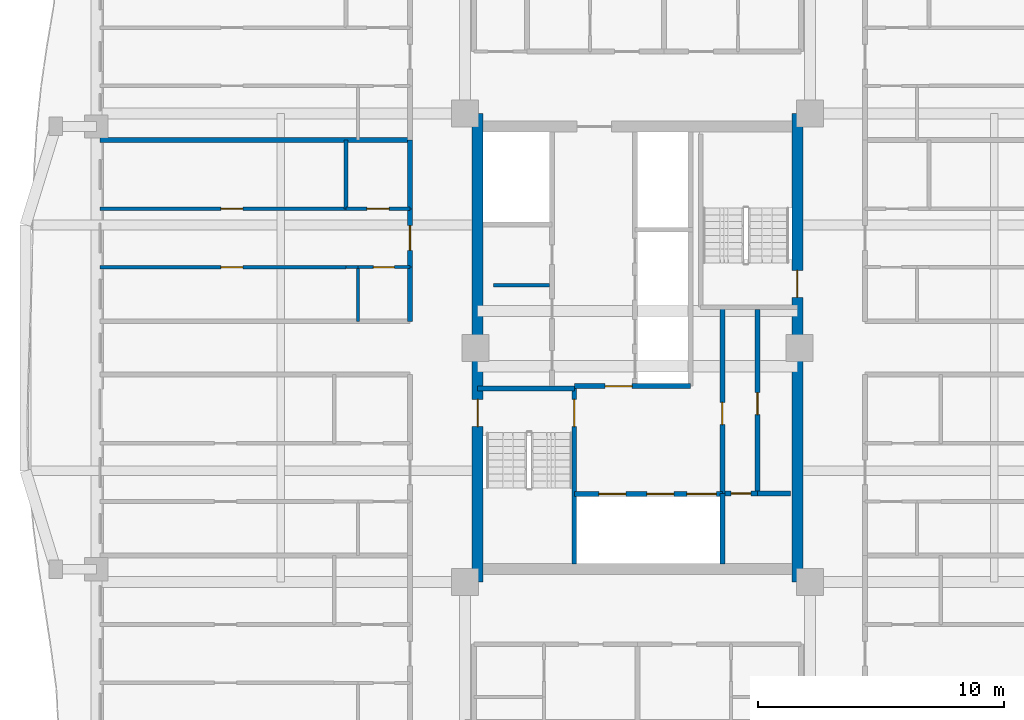
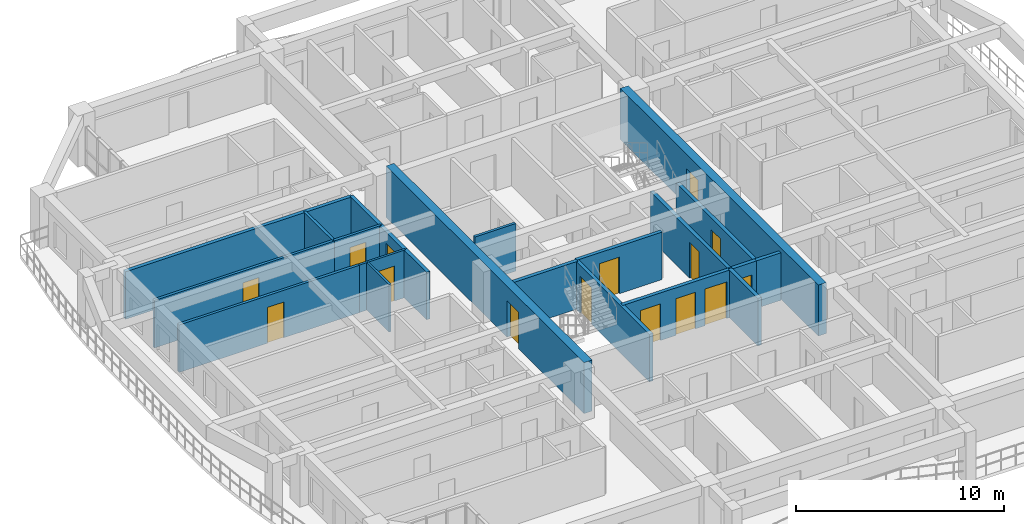
# One storey, part 13 of 23: 23 walls, 15 doors, 15 openings.
"""IFC4 building model written with IfcOpenShell, lengths in metres."""

from ifc_helpers import new_model, si_unit, direction, frame, frame_2d, origin, place, context, subcontext, project, spatial, rectangle, extrude, source, transform, mapped, material, layer, layer_set, type_object, element, fill, save


model = new_model("IFC4")

# Units and contexts
model_context = context("Model", 3, precision=1e-05, world=origin(), true_north=direction((0.0, 1.0)))
body_context = subcontext(model_context, "Body", "Model", "MODEL_VIEW")
ifc_project = project(units=[si_unit("LENGTHUNIT", "METRE"), si_unit("AREAUNIT", "SQUARE_METRE"), si_unit("VOLUMEUNIT", "CUBIC_METRE"), si_unit("PLANEANGLEUNIT", "RADIAN"), si_unit("MASSUNIT", "GRAM", prefix="KILO")], contexts=[model_context])

# Site, building, storey
site_placement = place(None, origin())
site = spatial("IfcSite", under=ifc_project, at=site_placement, CompositionType="ELEMENT")
building_placement = place(site_placement, origin())
building = spatial("IfcBuilding", under=site, at=building_placement, Name="Saelheon Loggia Tower", CompositionType="ELEMENT")
storey_placement = place(building_placement, frame((0.0, 0.0, 156.10009765625)))
storey = spatial("IfcBuildingStorey", under=building, at=storey_placement, Name="L49", CompositionType="ELEMENT", Elevation=156.10009765625)

# Wall, opening, door
ifc_material_1 = material(Name="Concrete C45/55", Category="concrete")
ifc_layer_1 = layer(ifc_material_1, 0.449951171875)
ifc_layer_set_1 = layer_set([ifc_layer_1], Name="Concrete C45/55")
wall_type_1 = type_object("IfcWallType", Name="Wall_CoreShear_450", PredefinedType="SHEAR", material=ifc_layer_set_1)
wall_1_placement = place(storey_placement, frame((31.5, 17.47998046875, 0.0), z_axis=(0.0, 0.0, 1.0), x_axis=(0.0, 1.0, 0.0)))
wall_1 = element("IfcWall", 1, at=wall_1_placement, inside=storey, type_object=wall_type_1, Name="L49 Core Shear Wall West", PredefinedType="SHEAR", context=body_context, shape_type="SweptSolid", body=[
    extrude(rectangle(XDim=19.0400390625, YDim=0.449951171875, at=frame_2d((9.52001953125, 0.0))), origin(), (0.0, 0.0, 1.0), 3.0),
])
opening_1_placement = place(wall_1_placement, frame((6.320068359375, 0.0, 0.0)))
opening_1 = element("IfcOpeningElement", 2, at=opening_1_placement, cuts=wall_1, Name="Opening D-FD2", PredefinedType="OPENING", context=body_context, shape_type="SweptSolid", body=[
    extrude(rectangle(XDim=1.10009765625, YDim=2.14990234375, at=frame_2d((0.550048828125, 1.074951171875))), frame((0.0, 0.237060546875, 0.0), z_axis=(0.0, -1.0, 0.0), x_axis=(1.0, 0.0, 0.0)), (0.0, 0.0, 1.0), 0.473876953125),
])
ifc_material_2 = material(Name="Galvanised Steel Fire Door", Category="steel")
door_type_1 = type_object("IfcDoorType", Name="Door_Fire_FD60_1100", OperationType="NOTDEFINED", PredefinedType="DOOR", material=ifc_material_2)
shared_shape_1 = source(origin(), body_context, "Body", "SweptSolid", [
    extrude(rectangle(XDim=1.10009765625, YDim=2.14990234375, at=frame_2d((0.550048828125, 1.074951171875))), frame((0.0, 0.02490234375, 0.0), z_axis=(0.0, -1.0, 0.0), x_axis=(1.0, 0.0, 0.0)), (0.0, 0.0, 1.0), 0.050048828125),
])
door_1_placement = place(opening_1_placement, origin())
door_1 = element("IfcDoor", 3, at=door_1_placement, inside=storey, type_object=door_type_1, Name="L49 Stair ST1 Corridor Door", OperationType="SINGLE_SWING_LEFT", OverallHeight=2.14990234375, OverallWidth=1.10009765625, PredefinedType="DOOR", context=body_context, shape_type="MappedRepresentation", body=[
    mapped(shared_shape_1, transform((0.0, 0.0, 0.0), scale=1.0)),
])
fill(opening_1, door_1)

wall_2_placement = place(storey_placement, frame((44.5, 17.47998046875, 0.0), z_axis=(0.0, 0.0, 1.0), x_axis=(0.0, 1.0, 0.0)))
wall_2 = element("IfcWall", 4, at=wall_2_placement, inside=storey, type_object=wall_type_1, Name="L49 Core Shear Wall East", PredefinedType="SHEAR", context=body_context, shape_type="SweptSolid", body=[
    extrude(rectangle(XDim=19.0400390625, YDim=0.449951171875, at=frame_2d((9.52001953125, 0.0))), origin(), (0.0, 0.0, 1.0), 3.0),
])
opening_2_placement = place(wall_2_placement, frame((12.670166015625, 0.0, 0.0), z_axis=(0.0, 0.0, 1.0), x_axis=(-1.0, 0.0, 0.0)))
opening_2 = element("IfcOpeningElement", 5, at=opening_2_placement, cuts=wall_2, Name="Opening D-FD2", PredefinedType="OPENING", context=body_context, shape_type="SweptSolid", body=[
    extrude(rectangle(XDim=1.10009765625, YDim=2.14990234375, at=frame_2d((0.550048828125, 1.074951171875))), frame((0.0, 0.237060546875, 0.0), z_axis=(0.0, -1.0, 0.0), x_axis=(1.0, 0.0, 0.0)), (0.0, 0.0, 1.0), 0.473876953125),
])
door_2_placement = place(opening_2_placement, origin())
door_2 = element("IfcDoor", 6, at=door_2_placement, inside=storey, type_object=door_type_1, Name="L49 Stair ST2 Corridor Door", OperationType="SINGLE_SWING_RIGHT", OverallHeight=2.14990234375, OverallWidth=1.10009765625, PredefinedType="DOOR", context=body_context, shape_type="MappedRepresentation", body=[
    mapped(shared_shape_1, transform((0.0, 0.0, 0.0), scale=1.0)),
])
fill(opening_2, door_2)

# Walls
ifc_material_3 = material(Name="Lightweight Autoclaved Aerated Concrete Block and Acoustic Gypsum", Category="concrete")
ifc_layer_2 = layer(ifc_material_3, 0.14990234375)
ifc_layer_set_2 = layer_set([ifc_layer_2], Name="Lightweight Autoclaved Aerated Concrete Block and Acoustic Gypsum")
wall_type_2 = type_object("IfcWallType", Name="Wall_Part_150", PredefinedType="PARTITIONING", material=ifc_layer_set_2)
wall_3_placement = place(storey_placement, frame((32.14990234375, 29.550048828125, 0.0), z_axis=(0.0, 0.0, 1.0), x_axis=(1.0, 0.0, 0.0)))
element("IfcWall", 7, at=wall_3_placement, inside=storey, type_object=wall_type_2, Name="L49 Freed Core Partition PL1", PredefinedType="PARTITIONING", context=body_context, shape_type="SweptSolid", body=[
    extrude(rectangle(XDim=2.27001953125, YDim=0.14990234375, at=frame_2d((1.135009765625, 0.0))), origin(), (0.0, 0.0, 1.0), 2.789794921875),
])
wall_4_placement = place(storey_placement, frame((26.14990234375, 32.6494140625, 0.0), z_axis=(0.0, 0.0, 1.0), x_axis=(0.0, 1.0, 0.0)))
element("IfcWall", 8, at=wall_4_placement, inside=storey, type_object=wall_type_2, Name="L49 WN Partition V07", PredefinedType="PARTITIONING", context=body_context, shape_type="SweptSolid", body=[
    extrude(rectangle(XDim=2.800537109375, YDim=0.14990234375, at=frame_2d((1.400390625, 0.0))), origin(), (0.0, 0.0, 1.0), 2.789794921875),
])

# Wall, opening, door
wall_5_placement = place(storey_placement, frame((26.14990234375, 30.280029296875, 0.0), z_axis=(0.0, 0.0, 1.0), x_axis=(-1.0, 0.0, 0.0)))
wall_5 = element("IfcWall", 9, at=wall_5_placement, inside=storey, type_object=wall_type_2, Name="L49 WN Partition U10", PredefinedType="PARTITIONING", context=body_context, shape_type="SweptSolid", body=[
    extrude(rectangle(XDim=10.0, YDim=0.14990234375, at=frame_2d((5.0, 0.0))), origin(), (0.0, 0.0, 1.0), 2.789794921875),
])
opening_3_placement = place(wall_5_placement, frame((4.19091796875, 0.0, 0.0)))
opening_3 = element("IfcOpeningElement", 10, at=opening_3_placement, cuts=wall_5, Name="Opening D-IN2", PredefinedType="OPENING", context=body_context, shape_type="SweptSolid", body=[
    extrude(rectangle(XDim=0.89990234375, YDim=2.10009765625, at=frame_2d((0.449951171875, 1.050048828125))), frame((0.0, 0.0869140625, 0.0), z_axis=(0.0, -1.0, 0.0), x_axis=(1.0, 0.0, 0.0)), (0.0, 0.0, 1.0), 0.173828125),
])
ifc_material_4 = material(Name="Engineered Oak Flush Door", Category="timber")
door_type_2 = type_object("IfcDoorType", Name="Door_Int_900", OperationType="NOTDEFINED", PredefinedType="DOOR", material=ifc_material_4)
shared_shape_2 = source(origin(), body_context, "Body", "SweptSolid", [
    extrude(rectangle(XDim=0.89990234375, YDim=2.10009765625, at=frame_2d((0.449951171875, 1.050048828125))), frame((0.0, 0.02490234375, 0.0), z_axis=(0.0, -1.0, 0.0), x_axis=(1.0, 0.0, 0.0)), (0.0, 0.0, 1.0), 0.050048828125),
])
door_3_placement = place(opening_3_placement, origin())
door_3 = element("IfcDoor", 11, at=door_3_placement, inside=storey, type_object=door_type_2, Name="Unit U07 Kitchen Door", OperationType="SINGLE_SWING_LEFT", OverallHeight=2.10009765625, OverallWidth=0.89990234375, PredefinedType="DOOR", context=body_context, shape_type="MappedRepresentation", body=[
    mapped(shared_shape_2, transform((0.0, 0.0, 0.0), scale=1.0)),
])
fill(opening_3, door_3)

wall_6_placement = place(storey_placement, frame((28.75, 32.6494140625, 0.0), z_axis=(0.0, 0.0, 1.0), x_axis=(-1.0, 0.0, 0.0)))
wall_6 = element("IfcWall", 12, at=wall_6_placement, inside=storey, type_object=wall_type_2, Name="L49 WN Partition U11", PredefinedType="PARTITIONING", context=body_context, shape_type="SweptSolid", body=[
    extrude(rectangle(XDim=2.60009765625, YDim=0.14990234375, at=frame_2d((1.300048828125, 0.0))), origin(), (0.0, 0.0, 1.0), 2.789794921875),
])
opening_4_placement = place(wall_6_placement, frame((0.85009765625, 0.0, 0.0)))
opening_4 = element("IfcOpeningElement", 13, at=opening_4_placement, cuts=wall_6, Name="Opening D-IN2", PredefinedType="OPENING", context=body_context, shape_type="SweptSolid", body=[
    extrude(rectangle(XDim=0.89990234375, YDim=2.10009765625, at=frame_2d((0.449951171875, 1.050048828125))), frame((0.0, 0.0869140625, 0.0), z_axis=(0.0, -1.0, 0.0), x_axis=(1.0, 0.0, 0.0)), (0.0, 0.0, 1.0), 0.173828125),
])
door_4_placement = place(opening_4_placement, origin())
door_4 = element("IfcDoor", 14, at=door_4_placement, inside=storey, type_object=door_type_2, Name="Unit U07 Dressing Closet Door", OperationType="SINGLE_SWING_RIGHT", OverallHeight=2.10009765625, OverallWidth=0.89990234375, PredefinedType="DOOR", context=body_context, shape_type="MappedRepresentation", body=[
    mapped(shared_shape_2, transform((0.0, 0.0, 0.0), scale=1.0)),
])
fill(opening_4, door_4)

wall_7_placement = place(storey_placement, frame((26.14990234375, 32.6494140625, 0.0), z_axis=(0.0, 0.0, 1.0), x_axis=(-1.0, 0.0, 0.0)))
wall_7 = element("IfcWall", 15, at=wall_7_placement, inside=storey, type_object=wall_type_2, Name="L49 WN Partition U12", PredefinedType="PARTITIONING", context=body_context, shape_type="SweptSolid", body=[
    extrude(rectangle(XDim=10.0, YDim=0.14990234375, at=frame_2d((5.0, 0.0))), origin(), (0.0, 0.0, 1.0), 2.789794921875),
])
opening_5_placement = place(wall_7_placement, frame((4.19091796875, 0.0, 0.0)))
opening_5 = element("IfcOpeningElement", 16, at=opening_5_placement, cuts=wall_7, Name="Opening D-IN2", PredefinedType="OPENING", context=body_context, shape_type="SweptSolid", body=[
    extrude(rectangle(XDim=0.89990234375, YDim=2.10009765625, at=frame_2d((0.449951171875, 1.050048828125))), frame((0.0, 0.0869140625, 0.0), z_axis=(0.0, -1.0, 0.0), x_axis=(1.0, 0.0, 0.0)), (0.0, 0.0, 1.0), 0.173828125),
])
door_5_placement = place(opening_5_placement, origin())
door_5 = element("IfcDoor", 17, at=door_5_placement, inside=storey, type_object=door_type_2, Name="Unit U07 Bedroom 1 Door", OperationType="SINGLE_SWING_LEFT", OverallHeight=2.10009765625, OverallWidth=0.89990234375, PredefinedType="DOOR", context=body_context, shape_type="MappedRepresentation", body=[
    mapped(shared_shape_2, transform((0.0, 0.0, 0.0), scale=1.0)),
])
fill(opening_5, door_5)

# Wall
ifc_material_5 = material(Name="Double Acoustic Stud and Fireboard Partition", Category="gypsum")
ifc_layer_3 = layer(ifc_material_5, 0.199951171875)
ifc_layer_set_3 = layer_set([ifc_layer_3], Name="Double Acoustic Stud and Fireboard Partition")
wall_type_3 = type_object("IfcWallType", Name="Wall_Party_200", PredefinedType="PARTITIONING", material=ifc_layer_set_3)
wall_8_placement = place(storey_placement, frame((28.75, 28.080078125, 0.0), z_axis=(0.0, 0.0, 1.0), x_axis=(0.0, 1.0, 0.0)))
element("IfcWall", 18, at=wall_8_placement, inside=storey, type_object=wall_type_3, Name="L49 WN Partition V03", PredefinedType="PARTITIONING", context=body_context, shape_type="SweptSolid", body=[
    extrude(rectangle(XDim=2.199951171875, YDim=0.199951171875, at=frame_2d((1.10009765625, 0.0))), origin(), (0.0, 0.0, 1.0), 2.789794921875),
])

# Wall, opening, door
wall_9_placement = place(storey_placement, frame((28.75, 30.280029296875, 0.0), z_axis=(0.0, 0.0, 1.0), x_axis=(0.0, 1.0, 0.0)))
wall_9 = element("IfcWall", 19, at=wall_9_placement, inside=storey, type_object=wall_type_3, Name="L49 WN Partition V04", PredefinedType="PARTITIONING", context=body_context, shape_type="SweptSolid", body=[
    extrude(rectangle(XDim=2.369384765625, YDim=0.199951171875, at=frame_2d((1.1845703125, 0.0))), origin(), (0.0, 0.0, 1.0), 2.789794921875),
])
opening_6_placement = place(wall_9_placement, frame((0.684814453125, 0.0, 0.0)))
opening_6 = element("IfcOpeningElement", 20, at=opening_6_placement, cuts=wall_9, Name="Opening D-FD1", PredefinedType="OPENING", context=body_context, shape_type="SweptSolid", body=[
    extrude(rectangle(XDim=1.0, YDim=2.14990234375, at=frame_2d((0.5, 1.074951171875))), frame((0.0, 0.112060546875, 0.0), z_axis=(0.0, -1.0, 0.0), x_axis=(1.0, 0.0, 0.0)), (0.0, 0.0, 1.0), 0.223876953125),
])
ifc_material_6 = material(Name="Fire-Rated Engineered Timber Entrance Door", Category="wood")
door_type_3 = type_object("IfcDoorType", Name="Door_Flat_FD30S", OperationType="NOTDEFINED", PredefinedType="DOOR", material=ifc_material_6)
shared_shape_3 = source(origin(), body_context, "Body", "SweptSolid", [
    extrude(rectangle(XDim=1.0, YDim=2.14990234375, at=frame_2d((0.5, 1.074951171875))), frame((0.0, 0.02490234375, 0.0), z_axis=(0.0, -1.0, 0.0), x_axis=(1.0, 0.0, 0.0)), (0.0, 0.0, 1.0), 0.050048828125),
])
door_6_placement = place(opening_6_placement, origin())
door_6 = element("IfcDoor", 21, at=door_6_placement, inside=storey, type_object=door_type_3, Name="Unit U07 Entrance Door", OperationType="SINGLE_SWING_LEFT", OverallHeight=2.14990234375, OverallWidth=1.0, PredefinedType="DOOR", context=body_context, shape_type="MappedRepresentation", body=[
    mapped(shared_shape_3, transform((0.0, 0.0, 0.0), scale=1.0)),
])
fill(opening_6, door_6)

# Walls
wall_10_placement = place(storey_placement, frame((28.75, 32.6494140625, 0.0), z_axis=(0.0, 0.0, 1.0), x_axis=(0.0, 1.0, 0.0)))
element("IfcWall", 22, at=wall_10_placement, inside=storey, type_object=wall_type_3, Name="L49 WN Partition V05", PredefinedType="PARTITIONING", context=body_context, shape_type="SweptSolid", body=[
    extrude(rectangle(XDim=2.800537109375, YDim=0.199951171875, at=frame_2d((1.400390625, 0.0))), origin(), (0.0, 0.0, 1.0), 2.789794921875),
])
wall_11_placement = place(storey_placement, frame((28.75, 35.449951171875, 0.0), z_axis=(0.0, 0.0, 1.0), x_axis=(-1.0, 0.0, 0.0)))
element("IfcWall", 23, at=wall_11_placement, inside=storey, type_object=wall_type_3, Name="L49 WN Partition U13", PredefinedType="PARTITIONING", context=body_context, shape_type="SweptSolid", body=[
    extrude(rectangle(XDim=12.60009765625, YDim=0.199951171875, at=frame_2d((6.300048828125, 0.0))), origin(), (0.0, 0.0, 1.0), 2.789794921875),
])

# Wall, opening, door
ifc_material_7 = material(Name="Concrete C40/50", Category="concrete")
ifc_layer_4 = layer(ifc_material_7, 0.199951171875)
ifc_layer_set_4 = layer_set([ifc_layer_4], Name="Concrete C40/50")
wall_type_4 = type_object("IfcWallType", Name="Wall_Shaft_200", PredefinedType="PARTITIONING", material=ifc_layer_set_4)
wall_12_placement = place(storey_placement, frame((41.550048828125, 21.080078125, 0.0), z_axis=(0.0, 0.0, 1.0), x_axis=(1.0, 0.0, 0.0)))
wall_12 = element("IfcWall", 24, at=wall_12_placement, inside=storey, type_object=wall_type_4, Name="CW-BOH-L49-HS", PredefinedType="PARTITIONING", context=body_context, shape_type="SweptSolid", body=[
    extrude(rectangle(XDim=1.329833984375, YDim=0.199951171875, at=frame_2d((0.6650390625, 0.0))), origin(), (0.0, 0.0, 1.0), 2.789794921875),
])
opening_7_placement = place(wall_12_placement, frame((0.260009765625, 0.0, 0.0)))
opening_7 = element("IfcOpeningElement", 25, at=opening_7_placement, cuts=wall_12, Name="Opening D-ST1", PredefinedType="OPENING", context=body_context, shape_type="SweptSolid", body=[
    extrude(rectangle(XDim=0.800048828125, YDim=2.050048828125, at=frame_2d((0.39990234375, 1.02490234375))), frame((0.0, 0.112060546875, 0.0), z_axis=(0.0, -1.0, 0.0), x_axis=(1.0, 0.0, 0.0)), (0.0, 0.0, 1.0), 0.223876953125),
])
ifc_material_8 = material(Name="Powder-Coated Steel Store Door", Category="steel")
door_type_4 = type_object("IfcDoorType", Name="Door_Store_800", OperationType="NOTDEFINED", PredefinedType="DOOR", material=ifc_material_8)
shared_shape_4 = source(origin(), body_context, "Body", "SweptSolid", [
    extrude(rectangle(XDim=0.800048828125, YDim=2.050048828125, at=frame_2d((0.39990234375, 1.02490234375))), frame((0.0, 0.02490234375, 0.0), z_axis=(0.0, -1.0, 0.0), x_axis=(1.0, 0.0, 0.0)), (0.0, 0.0, 1.0), 0.050048828125),
])
door_7_placement = place(opening_7_placement, origin())
door_7 = element("IfcDoor", 26, at=door_7_placement, inside=storey, type_object=door_type_4, Name="L49 Electrical Riser Door", OperationType="SINGLE_SWING_RIGHT", OverallHeight=2.050048828125, OverallWidth=0.800048828125, PredefinedType="DOOR", context=body_context, shape_type="MappedRepresentation", body=[
    mapped(shared_shape_4, transform((0.0, 0.0, 0.0), scale=1.0)),
])
fill(opening_7, door_7)

# Wall
wall_13_placement = place(storey_placement, frame((42.8798828125, 21.080078125, 0.0), z_axis=(0.0, 0.0, 1.0), x_axis=(1.0, 0.0, 0.0)))
element("IfcWall", 27, at=wall_13_placement, inside=storey, type_object=wall_type_4, Name="CW-BOH-L49-HS2", PredefinedType="PARTITIONING", context=body_context, shape_type="SweptSolid", body=[
    extrude(rectangle(XDim=1.340087890625, YDim=0.199951171875, at=frame_2d((0.669921875, 0.0))), origin(), (0.0, 0.0, 1.0), 2.789794921875),
])

# Wall, opening, door
wall_14_placement = place(storey_placement, frame((42.8798828125, 21.080078125, 0.0), z_axis=(0.0, 0.0, 1.0), x_axis=(0.0, 1.0, 0.0)))
wall_14 = element("IfcWall", 28, at=wall_14_placement, inside=storey, type_object=wall_type_4, Name="CW-BOH-L49-VS", PredefinedType="PARTITIONING", context=body_context, shape_type="SweptSolid", body=[
    extrude(rectangle(XDim=7.469970703125, YDim=0.199951171875, at=frame_2d((3.73486328125, 0.0))), origin(), (0.0, 0.0, 1.0), 2.789794921875),
])
opening_8_placement = place(wall_14_placement, frame((3.199951171875, 0.0, 0.0)))
opening_8 = element("IfcOpeningElement", 29, at=opening_8_placement, cuts=wall_14, Name="Opening D-RS1", PredefinedType="OPENING", context=body_context, shape_type="SweptSolid", body=[
    extrude(rectangle(XDim=0.89990234375, YDim=2.10009765625, at=frame_2d((0.449951171875, 1.050048828125))), frame((0.0, 0.112060546875, 0.0), z_axis=(0.0, -1.0, 0.0), x_axis=(1.0, 0.0, 0.0)), (0.0, 0.0, 1.0), 0.223876953125),
])
ifc_material_9 = material(Name="Galvanised Steel Riser Access Door", Category="steel")
door_type_5 = type_object("IfcDoorType", Name="Door_Riser_FD60", OperationType="NOTDEFINED", PredefinedType="DOOR", material=ifc_material_9)
door_8_placement = place(opening_8_placement, origin())
door_8 = element("IfcDoor", 30, at=door_8_placement, inside=storey, type_object=door_type_5, Name="L49 Linen Store Door", OperationType="SINGLE_SWING_LEFT", OverallHeight=2.10009765625, OverallWidth=0.89990234375, PredefinedType="DOOR", context=body_context, shape_type="MappedRepresentation", body=[
    mapped(shared_shape_2, transform((0.0, 0.0, 0.0), scale=1.0)),
])
fill(opening_8, door_8)

# Wall
wall_15_placement = place(storey_placement, frame((41.449951171875, 18.219970703125, 0.0), z_axis=(0.0, 0.0, 1.0), x_axis=(0.0, 1.0, 0.0)))
element("IfcWall", 31, at=wall_15_placement, inside=storey, type_object=wall_type_4, Name="CW-INT-L49-BOH-W0", PredefinedType="PARTITIONING", context=body_context, shape_type="SweptSolid", body=[
    extrude(rectangle(XDim=2.860107421875, YDim=0.199951171875, at=frame_2d((1.43017578125, 0.0))), origin(), (0.0, 0.0, 1.0), 2.789794921875),
])

# Wall, opening, door
wall_16_placement = place(storey_placement, frame((41.449951171875, 21.080078125, 0.0), z_axis=(0.0, 0.0, 1.0), x_axis=(0.0, 1.0, 0.0)))
wall_16 = element("IfcWall", 32, at=wall_16_placement, inside=storey, type_object=wall_type_4, Name="CW-INT-L49-BOH-W1", PredefinedType="PARTITIONING", context=body_context, shape_type="SweptSolid", body=[
    extrude(rectangle(XDim=7.52001953125, YDim=0.199951171875, at=frame_2d((3.760009765625, 0.0))), origin(), (0.0, 0.0, 1.0), 2.789794921875),
])
opening_9_placement = place(wall_16_placement, frame((2.800048828125, 0.0, 0.0)))
opening_9 = element("IfcOpeningElement", 33, at=opening_9_placement, cuts=wall_16, Name="Opening D-RS1", PredefinedType="OPENING", context=body_context, shape_type="SweptSolid", body=[
    extrude(rectangle(XDim=0.89990234375, YDim=2.10009765625, at=frame_2d((0.449951171875, 1.050048828125))), frame((0.0, 0.112060546875, 0.0), z_axis=(0.0, -1.0, 0.0), x_axis=(1.0, 0.0, 0.0)), (0.0, 0.0, 1.0), 0.223876953125),
])
door_9_placement = place(opening_9_placement, origin())
door_9 = element("IfcDoor", 34, at=door_9_placement, inside=storey, type_object=door_type_5, Name="L49 Service Store Door", OperationType="SINGLE_SWING_RIGHT", OverallHeight=2.10009765625, OverallWidth=0.89990234375, PredefinedType="DOOR", context=body_context, shape_type="MappedRepresentation", body=[
    mapped(shared_shape_2, transform((0.0, 0.0, 0.0), scale=1.0)),
])
fill(opening_9, door_9)

# Wall, openings, doors
wall_17_placement = place(storey_placement, frame((35.429931640625, 21.06005859375, 0.0), z_axis=(0.0, 0.0, 1.0), x_axis=(1.0, 0.0, 0.0)))
wall_17 = element("IfcWall", 35, at=wall_17_placement, inside=storey, type_object=wall_type_4, Name="L49 Firefighting Lift Shaft Front Wall", PredefinedType="PARTITIONING", context=body_context, shape_type="SweptSolid", body=[
    extrude(rectangle(XDim=6.02001953125, YDim=0.199951171875, at=frame_2d((3.010009765625, 0.0))), origin(), (0.0, 0.0, 1.0), 2.789794921875),
])
opening_10_placement = place(wall_17_placement, frame((1.0, 0.0, 0.0)))
opening_10 = element("IfcOpeningElement", 36, at=opening_10_placement, cuts=wall_17, Name="Opening LD2", PredefinedType="OPENING", context=body_context, shape_type="SweptSolid", body=[
    extrude(rectangle(XDim=1.10009765625, YDim=2.14990234375, at=frame_2d((0.550048828125, 1.074951171875))), frame((0.0, 0.112060546875, 0.0), z_axis=(0.0, -1.0, 0.0), x_axis=(1.0, 0.0, 0.0)), (0.0, 0.0, 1.0), 0.223876953125),
])
opening_11_placement = place(wall_17_placement, frame((2.949951171875, 0.0, 0.0)))
opening_11 = element("IfcOpeningElement", 37, at=opening_11_placement, cuts=wall_17, Name="Opening LD2", PredefinedType="OPENING", context=body_context, shape_type="SweptSolid", body=[
    extrude(rectangle(XDim=1.10009765625, YDim=2.14990234375, at=frame_2d((0.550048828125, 1.074951171875))), frame((0.0, 0.112060546875, 0.0), z_axis=(0.0, -1.0, 0.0), x_axis=(1.0, 0.0, 0.0)), (0.0, 0.0, 1.0), 0.223876953125),
])
opening_12_placement = place(wall_17_placement, frame((4.580078125, 0.0, 0.0)))
opening_12 = element("IfcOpeningElement", 38, at=opening_12_placement, cuts=wall_17, Name="Opening LD3", PredefinedType="OPENING", context=body_context, shape_type="SweptSolid", body=[
    extrude(rectangle(XDim=1.199951171875, YDim=2.14990234375, at=frame_2d((0.60009765625, 1.074951171875))), frame((0.0, 0.112060546875, 0.0), z_axis=(0.0, -1.0, 0.0), x_axis=(1.0, 0.0, 0.0)), (0.0, 0.0, 1.0), 0.223876953125),
])
ifc_material_10 = material(Name="Firefighting Stainless Steel 316 Landing Door", Category="steel")
door_type_6 = type_object("IfcDoorType", Name="Door_Lift_LD2", OperationType="DOUBLE_DOOR_SLIDING", PredefinedType="DOOR", material=ifc_material_10)
door_10_placement = place(opening_10_placement, origin())
door_10 = element("IfcDoor", 39, at=door_10_placement, inside=storey, type_object=door_type_6, Name="L49 FF1 Landing Door", OperationType="DOUBLE_DOOR_SLIDING", OverallHeight=2.14990234375, OverallWidth=1.10009765625, PredefinedType="DOOR", context=body_context, shape_type="MappedRepresentation", body=[
    mapped(shared_shape_1, transform((0.0, 0.0, 0.0), scale=1.0)),
])
fill(opening_10, door_10)
door_11_placement = place(opening_11_placement, origin())
door_11 = element("IfcDoor", 40, at=door_11_placement, inside=storey, type_object=door_type_6, Name="L49 FF2 Landing Door", OperationType="DOUBLE_DOOR_SLIDING", OverallHeight=2.14990234375, OverallWidth=1.10009765625, PredefinedType="DOOR", context=body_context, shape_type="MappedRepresentation", body=[
    mapped(shared_shape_1, transform((0.0, 0.0, 0.0), scale=1.0)),
])
fill(opening_11, door_11)
ifc_material_11 = material(Name="Stretcher Lift Stainless Steel 304 Landing Door", Category="steel")
door_type_7 = type_object("IfcDoorType", Name="Door_Lift_LD3", OperationType="DOUBLE_DOOR_SLIDING", PredefinedType="DOOR", material=ifc_material_11)
shared_shape_5 = source(origin(), body_context, "Body", "SweptSolid", [
    extrude(rectangle(XDim=1.199951171875, YDim=2.14990234375, at=frame_2d((0.60009765625, 1.074951171875))), frame((0.0, 0.02490234375, 0.0), z_axis=(0.0, -1.0, 0.0), x_axis=(1.0, 0.0, 0.0)), (0.0, 0.0, 1.0), 0.050048828125),
])
door_12_placement = place(opening_12_placement, origin())
door_12 = element("IfcDoor", 41, at=door_12_placement, inside=storey, type_object=door_type_7, Name="L49 SV1 Landing Door", OperationType="DOUBLE_DOOR_SLIDING", OverallHeight=2.14990234375, OverallWidth=1.199951171875, PredefinedType="DOOR", context=body_context, shape_type="MappedRepresentation", body=[
    mapped(shared_shape_5, transform((0.0, 0.0, 0.0), scale=1.0)),
])
fill(opening_12, door_12)

# Wall, opening, door
wall_18_placement = place(storey_placement, frame((35.429931640625, 25.43994140625, 0.0), z_axis=(0.0, 0.0, 1.0), x_axis=(1.0, 0.0, 0.0)))
wall_18 = element("IfcWall", 42, at=wall_18_placement, inside=storey, type_object=wall_type_4, Name="L49 Firefighting Lobby Compartment Wall", PredefinedType="PARTITIONING", context=body_context, shape_type="SweptSolid", body=[
    extrude(rectangle(XDim=4.719970703125, YDim=0.199951171875, at=frame_2d((2.35986328125, 0.0))), origin(), (0.0, 0.0, 1.0), 2.789794921875),
])
opening_13_placement = place(wall_18_placement, frame((1.25, 0.0, 0.0)))
opening_13 = element("IfcOpeningElement", 43, at=opening_13_placement, cuts=wall_18, Name="Opening D-FD2", PredefinedType="OPENING", context=body_context, shape_type="SweptSolid", body=[
    extrude(rectangle(XDim=1.10009765625, YDim=2.14990234375, at=frame_2d((0.550048828125, 1.074951171875))), frame((0.0, 0.112060546875, 0.0), z_axis=(0.0, -1.0, 0.0), x_axis=(1.0, 0.0, 0.0)), (0.0, 0.0, 1.0), 0.223876953125),
])
door_13_placement = place(opening_13_placement, origin())
door_13 = element("IfcDoor", 44, at=door_13_placement, inside=storey, type_object=door_type_1, Name="L49 Firefighting Lobby Door", OperationType="SINGLE_SWING_LEFT", OverallHeight=2.14990234375, OverallWidth=1.10009765625, PredefinedType="DOOR", context=body_context, shape_type="MappedRepresentation", body=[
    mapped(shared_shape_1, transform((0.0, 0.0, 0.0), scale=1.0)),
])
fill(opening_13, door_13)

ifc_layer_5 = layer(ifc_material_1, 0.199951171875)
ifc_layer_set_5 = layer_set([ifc_layer_5], Name="Concrete C45/55")
wall_type_5 = type_object("IfcWallType", Name="Wall_StairShaft_RC200", PredefinedType="SOLIDWALL", material=ifc_layer_set_5)
wall_19_placement = place(storey_placement, frame((35.429931640625, 18.219970703125, 0.0), z_axis=(0.0, 0.0, 1.0), x_axis=(0.0, 1.0, 0.0)))
wall_19 = element("IfcWall", 45, at=wall_19_placement, inside=storey, type_object=wall_type_5, Name="L49 Stair ST1 Shaft Wall", PredefinedType="SOLIDWALL", context=body_context, shape_type="SweptSolid", body=[
    extrude(rectangle(XDim=7.219970703125, YDim=0.199951171875, at=frame_2d((3.60986328125, 0.0))), origin(), (0.0, 0.0, 1.0), 2.789794921875),
])
opening_14_placement = place(wall_19_placement, frame((6.68017578125, 0.0, 0.0), z_axis=(0.0, 0.0, 1.0), x_axis=(-1.0, 0.0, 0.0)))
opening_14 = element("IfcOpeningElement", 46, at=opening_14_placement, cuts=wall_19, Name="Opening D-FD2", PredefinedType="OPENING", context=body_context, shape_type="SweptSolid", body=[
    extrude(rectangle(XDim=1.10009765625, YDim=2.14990234375, at=frame_2d((0.550048828125, 1.074951171875))), frame((0.0, 0.112060546875, 0.0), z_axis=(0.0, -1.0, 0.0), x_axis=(1.0, 0.0, 0.0)), (0.0, 0.0, 1.0), 0.223876953125),
])
door_14_placement = place(opening_14_placement, origin())
door_14 = element("IfcDoor", 47, at=door_14_placement, inside=storey, type_object=door_type_1, Name="L49 Stair ST1 Lobby Door", OperationType="SINGLE_SWING_RIGHT", OverallHeight=2.14990234375, OverallWidth=1.10009765625, PredefinedType="DOOR", context=body_context, shape_type="MappedRepresentation", body=[
    mapped(shared_shape_1, transform((0.0, 0.0, 0.0), scale=1.0)),
])
fill(opening_14, door_14)

# Walls
wall_20_placement = place(storey_placement, frame((31.5, 25.35009765625, 0.0), z_axis=(0.0, 0.0, 1.0), x_axis=(1.0, 0.0, 0.0)))
element("IfcWall", 48, at=wall_20_placement, inside=storey, type_object=wall_type_5, Name="L49 Stair ST1 North Wall", PredefinedType="SOLIDWALL", context=body_context, shape_type="SweptSolid", body=[
    extrude(rectangle(XDim=3.929931640625, YDim=0.199951171875, at=frame_2d((1.96484375, 0.0))), origin(), (0.0, 0.0, 1.0), 2.789794921875),
])
ifc_material_12 = material(Name="Moisture-Resistant Cement Board Partition", Category="gypsum")
ifc_layer_6 = layer(ifc_material_12, 0.1201171875)
ifc_layer_set_6 = layer_set([ifc_layer_6], Name="Moisture-Resistant Cement Board Partition")
wall_type_6 = type_object("IfcWallType", Name="Wall_WetPart_120", PredefinedType="PARTITIONING", material=ifc_layer_set_6)
wall_21_placement = place(storey_placement, frame((26.6298828125, 28.080078125, 0.0), z_axis=(0.0, 0.0, 1.0), x_axis=(0.0, 1.0, 0.0)))
element("IfcWall", 49, at=wall_21_placement, inside=storey, type_object=wall_type_6, Name="L49 WN Partition V06", PredefinedType="PARTITIONING", context=body_context, shape_type="SweptSolid", body=[
    extrude(rectangle(XDim=2.199951171875, YDim=0.1201171875, at=frame_2d((1.10009765625, 0.0))), origin(), (0.0, 0.0, 1.0), 2.789794921875),
])

# Wall, opening, door
wall_22_placement = place(storey_placement, frame((28.75, 30.280029296875, 0.0), z_axis=(0.0, 0.0, 1.0), x_axis=(-1.0, 0.0, 0.0)))
wall_22 = element("IfcWall", 50, at=wall_22_placement, inside=storey, type_object=wall_type_6, Name="L49 WN Partition U08", PredefinedType="PARTITIONING", context=body_context, shape_type="SweptSolid", body=[
    extrude(rectangle(XDim=2.1201171875, YDim=0.1201171875, at=frame_2d((1.06005859375, 0.0))), origin(), (0.0, 0.0, 1.0), 2.789794921875),
])
opening_15_placement = place(wall_22_placement, frame((0.635009765625, 0.0, 0.0)))
opening_15 = element("IfcOpeningElement", 51, at=opening_15_placement, cuts=wall_22, Name="Opening D-BT1", PredefinedType="OPENING", context=body_context, shape_type="SweptSolid", body=[
    extrude(rectangle(XDim=0.85009765625, YDim=2.050048828125, at=frame_2d((0.425048828125, 1.02490234375))), frame((0.0, 0.072021484375, 0.0), z_axis=(0.0, -1.0, 0.0), x_axis=(1.0, 0.0, 0.0)), (0.0, 0.0, 1.0), 0.14404296875),
])
ifc_material_13 = material(Name="Moisture-Resistant Laminate Timber Door", Category="wood")
door_type_8 = type_object("IfcDoorType", Name="Door_Bath_850", OperationType="NOTDEFINED", PredefinedType="DOOR", material=ifc_material_13)
shared_shape_6 = source(origin(), body_context, "Body", "SweptSolid", [
    extrude(rectangle(XDim=0.85009765625, YDim=2.050048828125, at=frame_2d((0.425048828125, 1.02490234375))), frame((0.0, 0.02490234375, 0.0), z_axis=(0.0, -1.0, 0.0), x_axis=(1.0, 0.0, 0.0)), (0.0, 0.0, 1.0), 0.050048828125),
])
door_15_placement = place(opening_15_placement, origin())
door_15 = element("IfcDoor", 52, at=door_15_placement, inside=storey, type_object=door_type_8, Name="Unit U07 Bathroom Door", OperationType="SINGLE_SWING_RIGHT", OverallHeight=2.050048828125, OverallWidth=0.85009765625, PredefinedType="DOOR", context=body_context, shape_type="MappedRepresentation", body=[
    mapped(shared_shape_6, transform((0.0, 0.0, 0.0), scale=1.0)),
])
fill(opening_15, door_15)

# Wall
wall_23_placement = place(storey_placement, frame((26.6298828125, 30.280029296875, 0.0), z_axis=(0.0, 0.0, 1.0), x_axis=(-1.0, 0.0, 0.0)))
element("IfcWall", 53, at=wall_23_placement, inside=storey, type_object=wall_type_6, Name="L49 WN Partition U09", PredefinedType="PARTITIONING", context=body_context, shape_type="SweptSolid", body=[
    extrude(rectangle(XDim=0.47998046875, YDim=0.1201171875, at=frame_2d((0.239990234375, 0.0))), origin(), (0.0, 0.0, 1.0), 2.789794921875),
])

save(model, "model.ifc")
